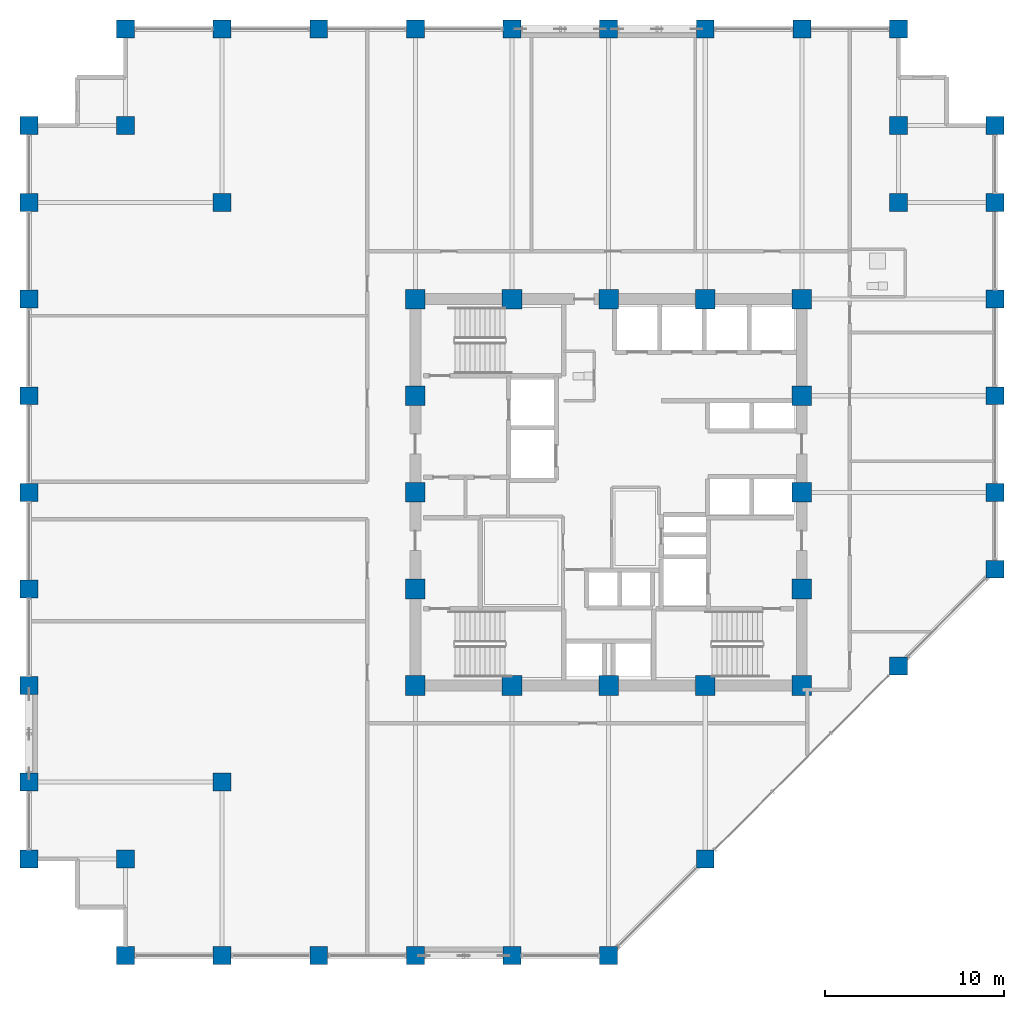
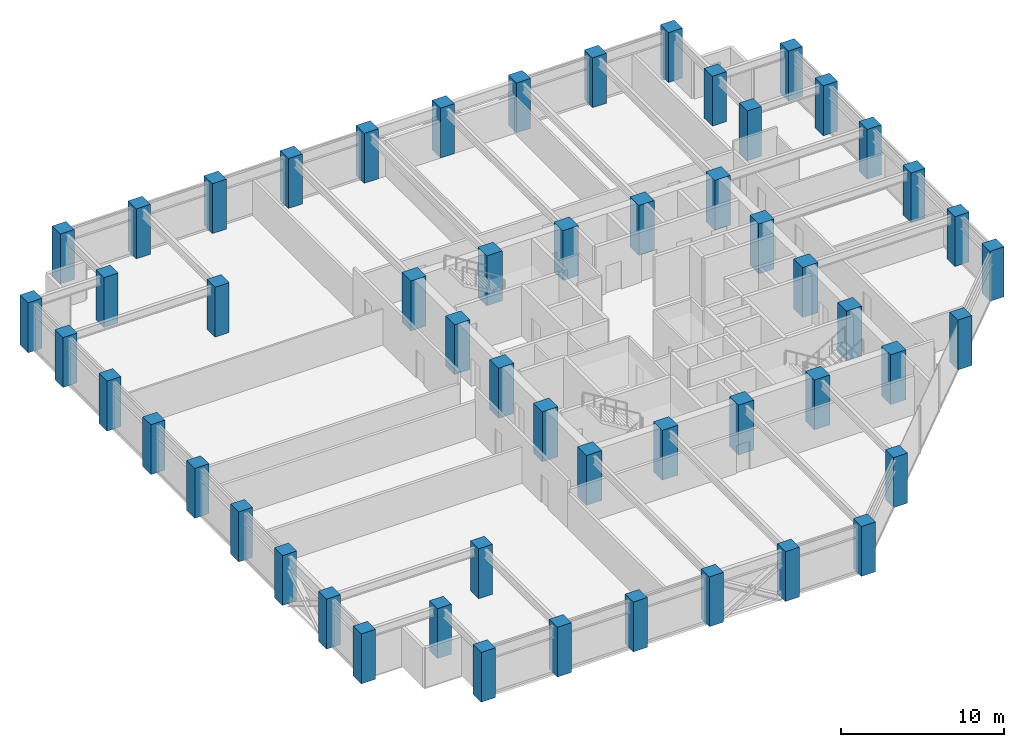
# One storey, part 1 of 23: 54 columns.
"""IFC4 building model written with IfcOpenShell, lengths in metres."""

from ifc_helpers import new_model, si_unit, direction, frame, origin, origin_2d, place, context, subcontext, project, spatial, rectangle, extrude, material, material_profile, profile_set, type_object, element, save


model = new_model("IFC4")

# Units and contexts
model_context = context("Model", 3, precision=1e-05, world=origin(), true_north=direction((0.0, 1.0)))
body_context = subcontext(model_context, "Body", "Model", "MODEL_VIEW")
ifc_project = project(units=[si_unit("LENGTHUNIT", "METRE"), si_unit("AREAUNIT", "SQUARE_METRE"), si_unit("VOLUMEUNIT", "CUBIC_METRE"), si_unit("PLANEANGLEUNIT", "RADIAN"), si_unit("MASSUNIT", "GRAM", prefix="KILO")], contexts=[model_context])

# Site, building, storey
site_placement = place(None, origin())
site = spatial("IfcSite", under=ifc_project, at=site_placement, CompositionType="ELEMENT")
building_placement = place(site_placement, origin())
building = spatial("IfcBuilding", under=site, at=building_placement, Name="Surkhivell Harbour Commons", CompositionType="ELEMENT")
storey_placement = place(building_placement, frame((0.0, 0.0, 135.75)))
storey = spatial("IfcBuildingStorey", under=building, at=storey_placement, Name="L35", CompositionType="ELEMENT", Elevation=135.75)

# Columns
ifc_material = material(Name="Concrete C60/75", Category="concrete")
ifc_material_profile_1 = material_profile(ifc_material, rectangle(XDim=1.10009765625, YDim=1.10009765625, at=origin_2d()), Name="RC-COL-1100x1100")
ifc_profile_set_1 = profile_set([ifc_material_profile_1], Name="Concrete C60/75")
column_type_1 = type_object("IfcColumnType", Name="COL-TUBE-Z2A", PredefinedType="COLUMN", material=ifc_profile_set_1)
for number, where, z_axis, x_axis, name in (
    (1, (-10.800048828125, -10.800048828125, 0.0), (0.0, 0.0, 1.0), (1.0, 0.0, 0.0), "L35 Column CT-2A (-10.8,-10.8)"),
    (2, (-10.800048828125, -5.39990234375, 0.0), (0.0, 0.0, 1.0), (1.0, 0.0, 0.0), "L35 Column CT-2A (-10.8,-5.4)"),
    (3, (-10.800048828125, 0.0, 0.0), (0.0, 0.0, 1.0), (1.0, 0.0, 0.0), "L35 Column CT-2A (-10.8,0.0)"),
    (4, (-10.800048828125, 5.39990234375, 0.0), (0.0, 0.0, 1.0), (1.0, 0.0, 0.0), "L35 Column CT-2A (-10.8,5.4)"),
    (5, (-10.800048828125, 10.800048828125, 0.0), (0.0, 0.0, 1.0), (1.0, 0.0, 0.0), "L35 Column CT-2A (-10.8,10.8)"),
    (6, (-5.39990234375, -10.800048828125, 0.0), (0.0, 0.0, 1.0), (1.0, 0.0, 0.0), "L35 Column CT-2A (-5.4,-10.8)"),
    (7, (-5.39990234375, 10.800048828125, 0.0), (0.0, 0.0, 1.0), (1.0, 0.0, 0.0), "L35 Column CT-2A (-5.4,10.8)"),
    (8, (0.0, -10.800048828125, 0.0), (0.0, 0.0, 1.0), (1.0, 0.0, 0.0), "L35 Column CT-2A (0.0,-10.8)"),
    (9, (0.0, 10.800048828125, 0.0), (0.0, 0.0, 1.0), (1.0, 0.0, 0.0), "L35 Column CT-2A (0.0,10.8)"),
    (10, (5.39990234375, -10.800048828125, 0.0), (0.0, 0.0, 1.0), (1.0, 0.0, 0.0), "L35 Column CT-2A (5.4,-10.8)"),
    (11, (5.39990234375, 10.800048828125, 0.0), (0.0, 0.0, 1.0), (1.0, 0.0, 0.0), "L35 Column CT-2A (5.4,10.8)"),
    (12, (10.800048828125, -10.800048828125, 0.0), (0.0, 0.0, 1.0), (1.0, 0.0, 0.0), "L35 Column CT-2A (10.8,-10.8)"),
    (13, (10.800048828125, -5.39990234375, 0.0), (0.0, 0.0, 1.0), (1.0, 0.0, 0.0), "L35 Column CT-2A (10.8,-5.4)"),
    (14, (10.800048828125, 0.0, 0.0), (0.0, 0.0, 1.0), (1.0, 0.0, 0.0), "L35 Column CT-2A (10.8,0.0)"),
    (15, (10.800048828125, 5.39990234375, 0.0), (0.0, 0.0, 1.0), (1.0, 0.0, 0.0), "L35 Column CT-2A (10.8,5.4)"),
    (16, (10.800048828125, 10.800048828125, 0.0), (0.0, 0.0, 1.0), (1.0, 0.0, 0.0), "L35 Column CT-2A (10.8,10.8)"),
):
    element("IfcColumn", number, at=place(storey_placement, frame(where, z_axis=z_axis, x_axis=x_axis)), inside=storey, type_object=column_type_1, Name=name, PredefinedType="COLUMN", context=body_context, shape_type="SweptSolid", body=[
        extrude(rectangle(XDim=1.10009765625, YDim=1.10009765625, at=origin_2d()), origin(), (0.0, 0.0, 1.0), 3.75),
    ])
ifc_material_profile_2 = material_profile(ifc_material, rectangle(XDim=1.0, YDim=1.0, at=origin_2d()), Name="RC-COL-1000x1000")
ifc_profile_set_2 = profile_set([ifc_material_profile_2], Name="Concrete C60/75")
column_type_2 = type_object("IfcColumnType", Name="COL-TUBE-Z2B", PredefinedType="COLUMN", material=ifc_profile_set_2)
for number, where, z_axis, x_axis, name in (
    (17, (-32.39990234375, -20.5, 0.0), (0.0, 0.0, 1.0), (1.0, 0.0, 0.0), "L35 Column CT-2B (-32.4,-20.5)"),
    (18, (-32.39990234375, -16.199951171875, 0.0), (0.0, 0.0, 1.0), (1.0, 0.0, 0.0), "L35 Column CT-2B (-32.4,-16.2)"),
    (19, (-32.39990234375, -10.800048828125, 0.0), (0.0, 0.0, 1.0), (1.0, 0.0, 0.0), "L35 Column CT-2B (-32.4,-10.8)"),
    (20, (-32.39990234375, -5.39990234375, 0.0), (0.0, 0.0, 1.0), (1.0, 0.0, 0.0), "L35 Column CT-2B (-32.4,-5.4)"),
    (21, (-32.39990234375, 0.0, 0.0), (0.0, 0.0, 1.0), (1.0, 0.0, 0.0), "L35 Column CT-2B (-32.4,0.0)"),
    (22, (-32.39990234375, 5.39990234375, 0.0), (0.0, 0.0, 1.0), (1.0, 0.0, 0.0), "L35 Column CT-2B (-32.4,5.4)"),
    (23, (-32.39990234375, 10.800048828125, 0.0), (0.0, 0.0, 1.0), (1.0, 0.0, 0.0), "L35 Column CT-2B (-32.4,10.8)"),
    (24, (-32.39990234375, 16.199951171875, 0.0), (0.0, 0.0, 1.0), (1.0, 0.0, 0.0), "L35 Column CT-2B (-32.4,16.2)"),
    (25, (-32.39990234375, 20.5, 0.0), (0.0, 0.0, 1.0), (1.0, 0.0, 0.0), "L35 Column CT-2B (-32.4,20.5)"),
    (26, (-27.0, -25.89990234375, 0.0), (0.0, 0.0, 1.0), (1.0, 0.0, 0.0), "L35 Column CT-2B (-27.0,-25.9)"),
    (27, (-27.0, -20.5, 0.0), (0.0, 0.0, 1.0), (1.0, 0.0, 0.0), "L35 Column CT-2B (-27.0,-20.5)"),
    (28, (-27.0, 20.5, 0.0), (0.0, 0.0, 1.0), (1.0, 0.0, 0.0), "L35 Column CT-2B (-27.0,20.5)"),
    (29, (-27.0, 25.89990234375, 0.0), (0.0, 0.0, 1.0), (1.0, 0.0, 0.0), "L35 Column CT-2B (-27.0,25.9)"),
    (30, (-21.60009765625, -25.89990234375, 0.0), (0.0, 0.0, 1.0), (1.0, 0.0, 0.0), "L35 Column CT-2B (-21.6,-25.9)"),
    (31, (-21.60009765625, -16.199951171875, 0.0), (0.0, 0.0, 1.0), (1.0, 0.0, 0.0), "L35 Column CT-2B (-21.6,-16.2)"),
    (32, (-21.60009765625, 16.199951171875, 0.0), (0.0, 0.0, 1.0), (1.0, 0.0, 0.0), "L35 Column CT-2B (-21.6,16.2)"),
    (33, (-21.60009765625, 25.89990234375, 0.0), (0.0, 0.0, 1.0), (1.0, 0.0, 0.0), "L35 Column CT-2B (-21.6,25.9)"),
    (34, (-16.199951171875, -25.89990234375, 0.0), (0.0, 0.0, 1.0), (1.0, 0.0, 0.0), "L35 Column CT-2B (-16.2,-25.9)"),
    (35, (-16.199951171875, 25.89990234375, 0.0), (0.0, 0.0, 1.0), (1.0, 0.0, 0.0), "L35 Column CT-2B (-16.2,25.9)"),
    (36, (-10.800048828125, -25.89990234375, 0.0), (0.0, 0.0, 1.0), (1.0, 0.0, 0.0), "L35 Column CT-2B (-10.8,-25.9)"),
    (37, (-10.800048828125, 25.89990234375, 0.0), (0.0, 0.0, 1.0), (1.0, 0.0, 0.0), "L35 Column CT-2B (-10.8,25.9)"),
    (38, (-5.39990234375, -25.89990234375, 0.0), (0.0, 0.0, 1.0), (1.0, 0.0, 0.0), "L35 Column CT-2B (-5.4,-25.9)"),
    (39, (-5.39990234375, 25.89990234375, 0.0), (0.0, 0.0, 1.0), (1.0, 0.0, 0.0), "L35 Column CT-2B (-5.4,25.9)"),
    (40, (0.0, -25.89990234375, 0.0), (0.0, 0.0, 1.0), (1.0, 0.0, 0.0), "L35 Column CT-2B (-0.0,-25.9)"),
    (41, (0.0, 25.89990234375, 0.0), (0.0, 0.0, 1.0), (1.0, 0.0, 0.0), "L35 Column CT-2B (-0.0,25.9)"),
    (42, (5.39990234375, -20.5, 0.0), (0.0, 0.0, 1.0), (1.0, 0.0, 0.0), "L35 Column CT-2B (5.4,-20.5)"),
    (43, (5.39990234375, 25.89990234375, 0.0), (0.0, 0.0, 1.0), (1.0, 0.0, 0.0), "L35 Column CT-2B (5.4,25.9)"),
    (44, (10.800048828125, 25.89990234375, 0.0), (0.0, 0.0, 1.0), (1.0, 0.0, 0.0), "L35 Column CT-2B (10.8,25.9)"),
    (45, (16.199951171875, -9.699951171875, 0.0), (0.0, 0.0, 1.0), (1.0, 0.0, 0.0), "L35 Column CT-2B (16.2,-9.7)"),
    (46, (16.199951171875, 16.199951171875, 0.0), (0.0, 0.0, 1.0), (1.0, 0.0, 0.0), "L35 Column CT-2B (16.2,16.2)"),
    (47, (16.199951171875, 20.5, 0.0), (0.0, 0.0, 1.0), (1.0, 0.0, 0.0), "L35 Column CT-2B (16.2,20.5)"),
    (48, (16.199951171875, 25.89990234375, 0.0), (0.0, 0.0, 1.0), (1.0, 0.0, 0.0), "L35 Column CT-2B (16.2,25.9)"),
    (49, (21.60009765625, -4.300048828125, 0.0), (0.0, 0.0, 1.0), (1.0, 0.0, 0.0), "L35 Column CT-2B (21.6,-4.3)"),
    (50, (21.60009765625, 0.0, 0.0), (0.0, 0.0, 1.0), (1.0, 0.0, 0.0), "L35 Column CT-2B (21.6,0.0)"),
    (51, (21.60009765625, 5.39990234375, 0.0), (0.0, 0.0, 1.0), (1.0, 0.0, 0.0), "L35 Column CT-2B (21.6,5.4)"),
    (52, (21.60009765625, 10.800048828125, 0.0), (0.0, 0.0, 1.0), (1.0, 0.0, 0.0), "L35 Column CT-2B (21.6,10.8)"),
    (53, (21.60009765625, 16.199951171875, 0.0), (0.0, 0.0, 1.0), (1.0, 0.0, 0.0), "L35 Column CT-2B (21.6,16.2)"),
    (54, (21.60009765625, 20.5, 0.0), (0.0, 0.0, 1.0), (1.0, 0.0, 0.0), "L35 Column CT-2B (21.6,20.5)"),
):
    element("IfcColumn", number, at=place(storey_placement, frame(where, z_axis=z_axis, x_axis=x_axis)), inside=storey, type_object=column_type_2, Name=name, PredefinedType="COLUMN", context=body_context, shape_type="SweptSolid", body=[
        extrude(rectangle(XDim=1.0, YDim=1.0, at=origin_2d()), origin(), (0.0, 0.0, 1.0), 3.75),
    ])

save(model, "model.ifc")
